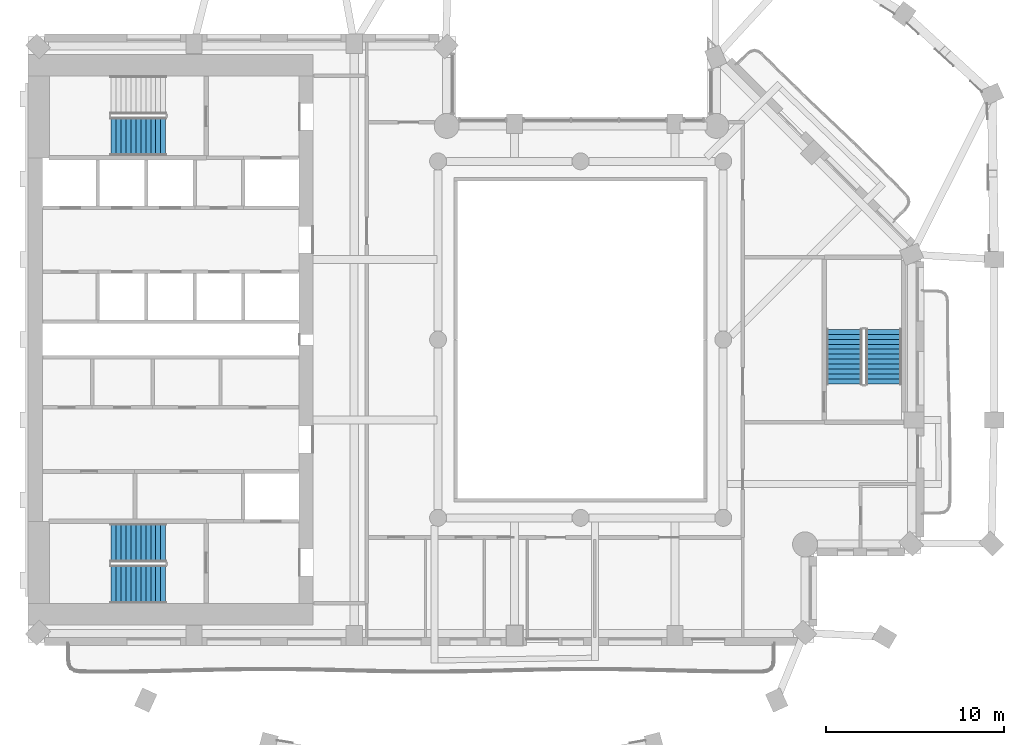
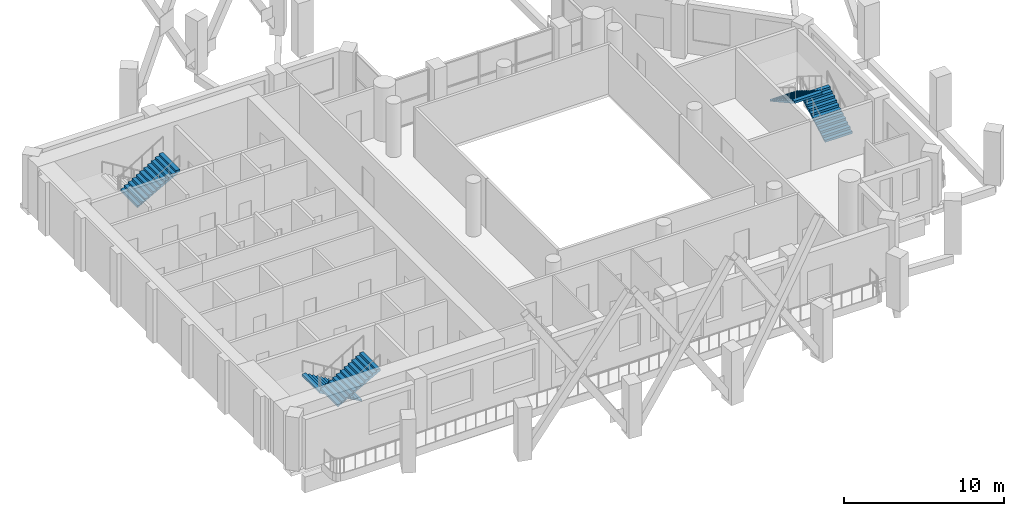
# One storey, part 9 of 15: 5 stair flights, 3 elements without a shape of their own.
"""IFC4 building model written with IfcOpenShell, lengths in metres."""

from ifc_helpers import new_model, si_unit, direction, frame, origin, place, context, subcontext, project, spatial, triangles, material, type_object, element, aggregate, save


model = new_model("IFC4")

# Units and contexts
model_context = context("Model", 3, precision=1e-05, world=origin(), true_north=direction((0.0, 1.0)))
body_context = subcontext(model_context, "Body", "Model", "MODEL_VIEW")
ifc_project = project(units=[si_unit("LENGTHUNIT", "METRE"), si_unit("AREAUNIT", "SQUARE_METRE"), si_unit("VOLUMEUNIT", "CUBIC_METRE"), si_unit("PLANEANGLEUNIT", "RADIAN"), si_unit("MASSUNIT", "GRAM", prefix="KILO")], contexts=[model_context])

# Site, building, storey
site_placement = place(None, origin())
site = spatial("IfcSite", under=ifc_project, at=site_placement, CompositionType="ELEMENT")
building_placement = place(site_placement, origin())
building = spatial("IfcBuilding", under=site, at=building_placement, Name="Cypress Arch Tower", CompositionType="ELEMENT")
storey_placement = place(building_placement, frame((0.0, 0.0, 193.300048828125)))
storey = spatial("IfcBuildingStorey", under=building, at=storey_placement, Name="L42", CompositionType="ELEMENT", Elevation=193.300048828125)

# Stair, stair flights
ifc_material_1 = material(Name="Concrete C40/50", Category="concrete")
stair_type_1 = type_object("IfcStairType", Name="Exit stair ES1708-200", PredefinedType="HALF_TURN_STAIR", material=ifc_material_1)
stair_1_placement = place(storey_placement, origin())
stair_1 = element("IfcStair", 1, at=stair_1_placement, inside=storey, type_object=stair_type_1, Name="L42 Exit stair C", PredefinedType="HALF_TURN_STAIR")
ifc_material_2 = material(Name="Concrete C40/50", Category="concrete")
stair_flight_type_1 = type_object("IfcStairFlightType", Name="Exit stair flight ES1708-200", PredefinedType="STRAIGHT", material=ifc_material_2)
stair_flight_1_placement = place(storey_placement, frame((18.0, -2.5, 0.0), z_axis=(0.0, 0.0, 1.0), x_axis=(0.0, 1.0, 0.0)))
stair_flight_1 = element("IfcStairFlight", 2, at=stair_flight_1_placement, type_object=stair_flight_type_1, Name="C flight 1", NumberOfRisers=12, NumberOfTreads=11, PredefinedType="STRAIGHT", RiserHeight=0.170833333, TreadLength=0.28, context=body_context, shape_type="Tessellation", body=[
    triangles([(0.0, -1.0, 0.0), (0.0, -1.0, 0.1708984375), (0.280029296875, -1.0, 0.1708984375), (0.280029296875, -1.0, 0.341552734375), (0.56005859375, -1.0, 0.341552734375), (0.56005859375, -1.0, 0.512451171875), (0.840087890625, -1.0, 0.512451171875), (0.840087890625, -1.0, 0.683349609375), (1.1201171875, -1.0, 0.683349609375), (1.1201171875, -1.0, 0.854248046875), (1.39990234375, -1.0, 0.854248046875), (1.39990234375, -1.0, 1.02490234375), (1.679931640625, -1.0, 1.02490234375), (1.679931640625, -1.0, 1.19580078125), (1.9599609375, -1.0, 1.19580078125), (1.9599609375, -1.0, 1.36669921875), (2.239990234375, -1.0, 1.36669921875), (2.239990234375, -1.0, 1.53759765625), (2.52001953125, -1.0, 1.53759765625), (2.52001953125, -1.0, 1.708251953125), (2.800048828125, -1.0, 1.708251953125), (2.800048828125, -1.0, 1.879150390625), (3.080078125, -1.0, 1.879150390625), (3.080078125, -1.0, 1.70361328125), (3.080078125, 1.0, 1.70361328125), (3.080078125, 1.0, 1.879150390625), (2.800048828125, 1.0, 1.879150390625), (2.800048828125, 1.0, 1.708251953125), (2.52001953125, 1.0, 1.708251953125), (2.52001953125, 1.0, 1.53759765625), (2.239990234375, 1.0, 1.53759765625), (2.239990234375, 1.0, 1.36669921875), (1.9599609375, 1.0, 1.36669921875), (1.9599609375, 1.0, 1.19580078125), (1.679931640625, 1.0, 1.19580078125), (1.679931640625, 1.0, 1.02490234375), (1.39990234375, 1.0, 1.02490234375), (1.39990234375, 1.0, 0.854248046875), (1.1201171875, 1.0, 0.854248046875), (1.1201171875, 1.0, 0.683349609375), (0.840087890625, 1.0, 0.683349609375), (0.840087890625, 1.0, 0.512451171875), (0.56005859375, 1.0, 0.512451171875), (0.56005859375, 1.0, 0.341552734375), (0.280029296875, 1.0, 0.341552734375), (0.280029296875, 1.0, 0.1708984375), (0.0, 1.0, 0.1708984375), (0.0, 1.0, 0.0), (3.080078125, 0.0, 1.879150390625), (3.080078125, 0.0, 1.70361328125), (2.800048828125, 0.0, 1.879150390625), (2.800048828125, 0.0, 1.708251953125), (2.52001953125, 0.0, 1.708251953125), (2.52001953125, 0.0, 1.53759765625), (2.239990234375, 0.0, 1.53759765625), (2.239990234375, 0.0, 1.36669921875), (1.9599609375, 0.0, 1.36669921875), (1.9599609375, 0.0, 1.19580078125), (1.679931640625, 0.0, 1.19580078125), (1.679931640625, 0.0, 1.02490234375), (1.39990234375, 0.0, 1.02490234375), (1.39990234375, 0.0, 0.854248046875), (1.1201171875, 0.0, 0.854248046875), (1.1201171875, 0.0, 0.683349609375), (0.840087890625, 0.0, 0.683349609375), (0.840087890625, 0.0, 0.512451171875), (0.56005859375, 0.0, 0.512451171875), (0.56005859375, 0.0, 0.341552734375), (0.280029296875, 0.0, 0.341552734375), (0.280029296875, 0.0, 0.1708984375), (0.0, 0.0, 0.1708984375), (0.0, 0.0, 0.0)], [[24, 23, 22], [11, 10, 9], [19, 18, 17], [17, 16, 15], [15, 14, 13], [9, 8, 7], [7, 6, 5], [3, 2, 1], [21, 20, 19], [13, 12, 11], [5, 4, 3], [24, 22, 21], [24, 21, 19], [24, 19, 17], [24, 17, 15], [24, 15, 13], [24, 13, 11], [24, 11, 9], [24, 9, 7], [24, 7, 5], [1, 24, 5], [5, 3, 1], [25, 27, 26], [38, 40, 39], [30, 32, 31], [32, 34, 33], [34, 36, 35], [40, 42, 41], [42, 44, 43], [46, 48, 47], [28, 30, 29], [36, 38, 37], [44, 46, 45], [25, 28, 27], [25, 30, 28], [25, 32, 30], [25, 34, 32], [25, 36, 34], [25, 38, 36], [25, 40, 38], [25, 42, 40], [25, 44, 42], [48, 44, 25], [44, 48, 46], [50, 49, 23], [50, 23, 24], [25, 26, 49], [25, 49, 50], [49, 51, 22], [49, 22, 23], [26, 27, 51], [26, 51, 49], [51, 52, 21], [51, 21, 22], [27, 28, 52], [27, 52, 51], [52, 53, 20], [52, 20, 21], [28, 29, 53], [28, 53, 52], [53, 54, 19], [53, 19, 20], [29, 30, 54], [29, 54, 53], [54, 55, 18], [54, 18, 19], [30, 31, 55], [30, 55, 54], [55, 56, 17], [55, 17, 18], [31, 32, 56], [31, 56, 55], [56, 57, 16], [56, 16, 17], [32, 33, 57], [32, 57, 56], [57, 58, 15], [57, 15, 16], [33, 34, 58], [33, 58, 57], [58, 59, 14], [58, 14, 15], [34, 35, 59], [34, 59, 58], [59, 60, 13], [59, 13, 14], [35, 36, 60], [35, 60, 59], [60, 61, 12], [60, 12, 13], [36, 37, 61], [36, 61, 60], [61, 62, 11], [61, 11, 12], [37, 38, 62], [37, 62, 61], [62, 63, 10], [62, 10, 11], [38, 39, 63], [38, 63, 62], [63, 64, 9], [63, 9, 10], [39, 40, 64], [39, 64, 63], [64, 65, 8], [64, 8, 9], [40, 41, 65], [40, 65, 64], [65, 66, 7], [65, 7, 8], [41, 42, 66], [41, 66, 65], [66, 67, 6], [66, 6, 7], [42, 43, 67], [42, 67, 66], [67, 68, 5], [67, 5, 6], [43, 44, 68], [43, 68, 67], [68, 69, 4], [68, 4, 5], [44, 45, 69], [44, 69, 68], [69, 70, 3], [69, 3, 4], [45, 46, 70], [45, 70, 69], [70, 71, 2], [70, 2, 3], [46, 47, 71], [46, 71, 70], [71, 72, 1], [71, 1, 2], [47, 48, 72], [47, 72, 71], [72, 50, 24], [72, 24, 1], [48, 25, 50], [48, 50, 72]], closed=True),
])
stair_flight_2_placement = place(storey_placement, frame((15.800048828125, 0.580078125, 2.050048828125), z_axis=(0.0, 0.0, 1.0), x_axis=(0.0, -1.0, 0.0)))
stair_flight_2 = element("IfcStairFlight", 3, at=stair_flight_2_placement, type_object=stair_flight_type_1, Name="C flight 2", NumberOfRisers=12, NumberOfTreads=11, PredefinedType="STRAIGHT", RiserHeight=0.170833333, TreadLength=0.28, context=body_context, shape_type="Tessellation", body=[
    triangles([(0.0, -1.0, 0.0), (0.0, -1.0, 0.1708984375), (0.280029296875, -1.0, 0.1708984375), (0.280029296875, -1.0, 0.341552734375), (0.56005859375, -1.0, 0.341552734375), (0.56005859375, -1.0, 0.512451171875), (0.840087890625, -1.0, 0.512451171875), (0.840087890625, -1.0, 0.683349609375), (1.1201171875, -1.0, 0.683349609375), (1.1201171875, -1.0, 0.854248046875), (1.39990234375, -1.0, 0.854248046875), (1.39990234375, -1.0, 1.02490234375), (1.679931640625, -1.0, 1.02490234375), (1.679931640625, -1.0, 1.19580078125), (1.9599609375, -1.0, 1.19580078125), (1.9599609375, -1.0, 1.36669921875), (2.239990234375, -1.0, 1.36669921875), (2.239990234375, -1.0, 1.53759765625), (2.52001953125, -1.0, 1.53759765625), (2.52001953125, -1.0, 1.708251953125), (2.800048828125, -1.0, 1.708251953125), (2.800048828125, -1.0, 1.879150390625), (3.080078125, -1.0, 1.879150390625), (3.080078125, -1.0, 1.70361328125), (3.080078125, 1.0, 1.70361328125), (3.080078125, 1.0, 1.879150390625), (2.800048828125, 1.0, 1.879150390625), (2.800048828125, 1.0, 1.708251953125), (2.52001953125, 1.0, 1.708251953125), (2.52001953125, 1.0, 1.53759765625), (2.239990234375, 1.0, 1.53759765625), (2.239990234375, 1.0, 1.36669921875), (1.9599609375, 1.0, 1.36669921875), (1.9599609375, 1.0, 1.19580078125), (1.679931640625, 1.0, 1.19580078125), (1.679931640625, 1.0, 1.02490234375), (1.39990234375, 1.0, 1.02490234375), (1.39990234375, 1.0, 0.854248046875), (1.1201171875, 1.0, 0.854248046875), (1.1201171875, 1.0, 0.683349609375), (0.840087890625, 1.0, 0.683349609375), (0.840087890625, 1.0, 0.512451171875), (0.56005859375, 1.0, 0.512451171875), (0.56005859375, 1.0, 0.341552734375), (0.280029296875, 1.0, 0.341552734375), (0.280029296875, 1.0, 0.1708984375), (0.0, 1.0, 0.1708984375), (0.0, 1.0, 0.0), (3.080078125, 0.0, 1.879150390625), (3.080078125, 0.0, 1.70361328125), (2.800048828125, 0.0, 1.879150390625), (2.800048828125, 0.0, 1.708251953125), (2.52001953125, 0.0, 1.708251953125), (2.52001953125, 0.0, 1.53759765625), (2.239990234375, 0.0, 1.53759765625), (2.239990234375, 0.0, 1.36669921875), (1.9599609375, 0.0, 1.36669921875), (1.9599609375, 0.0, 1.19580078125), (1.679931640625, 0.0, 1.19580078125), (1.679931640625, 0.0, 1.02490234375), (1.39990234375, 0.0, 1.02490234375), (1.39990234375, 0.0, 0.854248046875), (1.1201171875, 0.0, 0.854248046875), (1.1201171875, 0.0, 0.683349609375), (0.840087890625, 0.0, 0.683349609375), (0.840087890625, 0.0, 0.512451171875), (0.56005859375, 0.0, 0.512451171875), (0.56005859375, 0.0, 0.341552734375), (0.280029296875, 0.0, 0.341552734375), (0.280029296875, 0.0, 0.1708984375), (0.0, 0.0, 0.1708984375), (0.0, 0.0, 0.0)], [[24, 23, 22], [11, 10, 9], [19, 18, 17], [17, 16, 15], [15, 14, 13], [9, 8, 7], [7, 6, 5], [3, 2, 1], [21, 20, 19], [13, 12, 11], [5, 4, 3], [24, 22, 21], [24, 21, 19], [24, 19, 17], [24, 17, 15], [24, 15, 13], [24, 13, 11], [24, 11, 9], [24, 9, 7], [24, 7, 5], [1, 24, 5], [5, 3, 1], [25, 27, 26], [38, 40, 39], [30, 32, 31], [32, 34, 33], [34, 36, 35], [40, 42, 41], [42, 44, 43], [46, 48, 47], [28, 30, 29], [36, 38, 37], [44, 46, 45], [25, 28, 27], [25, 30, 28], [25, 32, 30], [25, 34, 32], [25, 36, 34], [25, 38, 36], [25, 40, 38], [25, 42, 40], [25, 44, 42], [48, 44, 25], [44, 48, 46], [50, 49, 23], [50, 23, 24], [25, 26, 49], [25, 49, 50], [49, 51, 22], [49, 22, 23], [26, 27, 51], [26, 51, 49], [51, 52, 21], [51, 21, 22], [27, 28, 52], [27, 52, 51], [52, 53, 20], [52, 20, 21], [28, 29, 53], [28, 53, 52], [53, 54, 19], [53, 19, 20], [29, 30, 54], [29, 54, 53], [54, 55, 18], [54, 18, 19], [30, 31, 55], [30, 55, 54], [55, 56, 17], [55, 17, 18], [31, 32, 56], [31, 56, 55], [56, 57, 16], [56, 16, 17], [32, 33, 57], [32, 57, 56], [57, 58, 15], [57, 15, 16], [33, 34, 58], [33, 58, 57], [58, 59, 14], [58, 14, 15], [34, 35, 59], [34, 59, 58], [59, 60, 13], [59, 13, 14], [35, 36, 60], [35, 60, 59], [60, 61, 12], [60, 12, 13], [36, 37, 61], [36, 61, 60], [61, 62, 11], [61, 11, 12], [37, 38, 62], [37, 62, 61], [62, 63, 10], [62, 10, 11], [38, 39, 63], [38, 63, 62], [63, 64, 9], [63, 9, 10], [39, 40, 64], [39, 64, 63], [64, 65, 8], [64, 8, 9], [40, 41, 65], [40, 65, 64], [65, 66, 7], [65, 7, 8], [41, 42, 66], [41, 66, 65], [66, 67, 6], [66, 6, 7], [42, 43, 67], [42, 67, 66], [67, 68, 5], [67, 5, 6], [43, 44, 68], [43, 68, 67], [68, 69, 4], [68, 4, 5], [44, 45, 69], [44, 69, 68], [69, 70, 3], [69, 3, 4], [45, 46, 70], [45, 70, 69], [70, 71, 2], [70, 2, 3], [46, 47, 71], [46, 71, 70], [71, 72, 1], [71, 1, 2], [47, 48, 72], [47, 72, 71], [72, 50, 24], [72, 24, 1], [48, 25, 50], [48, 50, 72]], closed=True),
])
aggregate(stair_1, [stair_flight_1, stair_flight_2])

ifc_material_3 = material(Name="Concrete C40/50", Category="concrete")
stair_type_2 = type_object("IfcStairType", Name="Exit stair ES1708-215", PredefinedType="HALF_TURN_STAIR", material=ifc_material_3)
stair_2_placement = place(storey_placement, origin())
stair_2 = element("IfcStair", 4, at=stair_2_placement, inside=storey, type_object=stair_type_2, Name="L42 Exit stair A", PredefinedType="HALF_TURN_STAIR")
ifc_material_4 = material(Name="Concrete C40/50", Category="concrete")
stair_flight_type_2 = type_object("IfcStairFlightType", Name="Exit stair flight ES1708-215", PredefinedType="STRAIGHT", material=ifc_material_4)
stair_flight_3_placement = place(storey_placement, frame((-22.27490234375, -11.39990234375, 0.0), z_axis=(0.0, 0.0, 1.0), x_axis=(-1.0, 0.0, 0.0)))
stair_flight_3 = element("IfcStairFlight", 5, at=stair_flight_3_placement, type_object=stair_flight_type_2, Name="A flight 1", NumberOfRisers=12, NumberOfTreads=11, PredefinedType="STRAIGHT", RiserHeight=0.170833333, TreadLength=0.28, context=body_context, shape_type="Tessellation", body=[
    triangles([(0.0, -1.074951171875, 0.0), (0.000244140625, -1.074951171875, 0.01904296875), (0.000244140625, -1.074951171875, 0.0380859375), (0.00048828125, -1.074951171875, 0.056884765625), (0.00048828125, -1.074951171875, 0.075927734375), (0.00048828125, -1.074951171875, 0.094970703125), (0.00048828125, -1.074951171875, 0.114013671875), (0.000244140625, -1.074951171875, 0.1328125), (0.000244140625, -1.074951171875, 0.15185546875), (0.0, -1.074951171875, 0.1708984375), (0.280029296875, -1.074951171875, 0.1708984375), (0.280029296875, -1.074951171875, 0.341552734375), (0.56005859375, -1.074951171875, 0.341552734375), (0.56005859375, -1.074951171875, 0.512451171875), (0.840087890625, -1.074951171875, 0.512451171875), (0.840087890625, -1.074951171875, 0.683349609375), (1.1201171875, -1.074951171875, 0.683349609375), (1.1201171875, -1.074951171875, 0.854248046875), (1.39990234375, -1.074951171875, 0.854248046875), (1.39990234375, -1.074951171875, 1.02490234375), (1.679931640625, -1.074951171875, 1.02490234375), (1.679931640625, -1.074951171875, 1.19580078125), (1.9599609375, -1.074951171875, 1.19580078125), (1.9599609375, -1.074951171875, 1.36669921875), (2.239990234375, -1.074951171875, 1.36669921875), (2.239990234375, -1.074951171875, 1.53759765625), (2.52001953125, -1.074951171875, 1.53759765625), (2.52001953125, -1.074951171875, 1.708251953125), (2.800048828125, -1.074951171875, 1.708251953125), (2.800048828125, -1.074951171875, 1.879150390625), (3.080078125, -1.074951171875, 1.879150390625), (3.079833984375, -1.074951171875, 1.859619140625), (3.079833984375, -1.074951171875, 1.840087890625), (3.07958984375, -1.074951171875, 1.820556640625), (3.07958984375, -1.074951171875, 1.801025390625), (3.07958984375, -1.074951171875, 1.78173828125), (3.07958984375, -1.074951171875, 1.76220703125), (3.079833984375, -1.074951171875, 1.74267578125), (3.079833984375, -1.074951171875, 1.72314453125), (3.080078125, -1.074951171875, 1.70361328125), (3.080078125, 1.074951171875, 1.70361328125), (3.079833984375, 1.074951171875, 1.72314453125), (3.079833984375, 1.074951171875, 1.74267578125), (3.07958984375, 1.074951171875, 1.76220703125), (3.07958984375, 1.074951171875, 1.78173828125), (3.07958984375, 1.074951171875, 1.801025390625), (3.07958984375, 1.074951171875, 1.820556640625), (3.079833984375, 1.074951171875, 1.840087890625), (3.079833984375, 1.074951171875, 1.859619140625), (3.080078125, 1.074951171875, 1.879150390625), (2.800048828125, 1.074951171875, 1.879150390625), (2.800048828125, 1.074951171875, 1.708251953125), (2.52001953125, 1.074951171875, 1.708251953125), (2.52001953125, 1.074951171875, 1.53759765625), (2.239990234375, 1.074951171875, 1.53759765625), (2.239990234375, 1.074951171875, 1.36669921875), (1.9599609375, 1.074951171875, 1.36669921875), (1.9599609375, 1.074951171875, 1.19580078125), (1.679931640625, 1.074951171875, 1.19580078125), (1.679931640625, 1.074951171875, 1.02490234375), (1.39990234375, 1.074951171875, 1.02490234375), (1.39990234375, 1.074951171875, 0.854248046875), (1.1201171875, 1.074951171875, 0.854248046875), (1.1201171875, 1.074951171875, 0.683349609375), (0.840087890625, 1.074951171875, 0.683349609375), (0.840087890625, 1.074951171875, 0.512451171875), (0.56005859375, 1.074951171875, 0.512451171875), (0.56005859375, 1.074951171875, 0.341552734375), (0.280029296875, 1.074951171875, 0.341552734375), (0.280029296875, 1.074951171875, 0.1708984375), (0.0, 1.074951171875, 0.1708984375), (0.000244140625, 1.074951171875, 0.15185546875), (0.000244140625, 1.074951171875, 0.1328125), (0.00048828125, 1.074951171875, 0.114013671875), (0.00048828125, 1.074951171875, 0.094970703125), (0.00048828125, 1.074951171875, 0.075927734375), (0.00048828125, 1.074951171875, 0.056884765625), (0.000244140625, 1.074951171875, 0.0380859375), (0.000244140625, 1.074951171875, 0.01904296875), (0.0, 1.074951171875, 0.0)], [[40, 39, 30], [39, 38, 30], [38, 37, 30], [37, 36, 30], [36, 35, 30], [35, 34, 30], [34, 33, 30], [33, 32, 30], [32, 31, 30], [19, 18, 17], [27, 26, 25], [25, 24, 23], [23, 22, 21], [17, 16, 15], [15, 14, 13], [10, 9, 11], [9, 8, 11], [8, 7, 11], [7, 6, 11], [6, 5, 11], [5, 4, 11], [4, 3, 11], [3, 2, 11], [2, 1, 11], [29, 28, 27], [21, 20, 19], [13, 12, 11], [40, 30, 29], [40, 29, 27], [40, 27, 25], [40, 25, 23], [40, 23, 21], [40, 21, 19], [40, 19, 17], [40, 17, 15], [40, 15, 13], [1, 40, 13], [13, 11, 1], [41, 51, 42], [42, 51, 43], [43, 51, 44], [44, 51, 45], [45, 51, 46], [46, 51, 47], [47, 51, 48], [48, 51, 49], [49, 51, 50], [62, 64, 63], [54, 56, 55], [56, 58, 57], [58, 60, 59], [64, 66, 65], [66, 68, 67], [71, 70, 72], [72, 70, 73], [73, 70, 74], [74, 70, 75], [75, 70, 76], [76, 70, 77], [77, 70, 78], [78, 70, 79], [79, 70, 80], [52, 54, 53], [60, 62, 61], [68, 70, 69], [41, 52, 51], [41, 54, 52], [41, 56, 54], [41, 58, 56], [41, 60, 58], [41, 62, 60], [41, 64, 62], [41, 66, 64], [41, 68, 66], [80, 68, 41], [68, 80, 70], [41, 42, 39], [41, 39, 40], [42, 43, 38], [42, 38, 39], [43, 44, 37], [43, 37, 38], [44, 45, 36], [44, 36, 37], [45, 46, 35], [45, 35, 36], [46, 47, 34], [46, 34, 35], [47, 48, 33], [47, 33, 34], [48, 49, 32], [48, 32, 33], [49, 50, 31], [49, 31, 32], [50, 51, 30], [50, 30, 31], [51, 52, 29], [51, 29, 30], [52, 53, 28], [52, 28, 29], [53, 54, 27], [53, 27, 28], [54, 55, 26], [54, 26, 27], [55, 56, 25], [55, 25, 26], [56, 57, 24], [56, 24, 25], [57, 58, 23], [57, 23, 24], [58, 59, 22], [58, 22, 23], [59, 60, 21], [59, 21, 22], [60, 61, 20], [60, 20, 21], [61, 62, 19], [61, 19, 20], [62, 63, 18], [62, 18, 19], [63, 64, 17], [63, 17, 18], [64, 65, 16], [64, 16, 17], [65, 66, 15], [65, 15, 16], [66, 67, 14], [66, 14, 15], [67, 68, 13], [67, 13, 14], [68, 69, 12], [68, 12, 13], [69, 70, 11], [69, 11, 12], [70, 71, 10], [70, 10, 11], [71, 72, 9], [71, 9, 10], [72, 73, 8], [72, 8, 9], [73, 74, 7], [73, 7, 8], [74, 75, 6], [74, 6, 7], [75, 76, 5], [75, 5, 6], [76, 77, 4], [76, 4, 5], [77, 78, 3], [77, 3, 4], [78, 79, 2], [78, 2, 3], [79, 80, 1], [79, 1, 2], [80, 41, 40], [80, 40, 1]], closed=True),
])
stair_flight_4_placement = place(storey_placement, frame((-25.35498046875, -13.72509765625, 2.050048828125), z_axis=(0.0, 0.0, 1.0), x_axis=(1.0, 0.0, 0.0)))
stair_flight_4 = element("IfcStairFlight", 6, at=stair_flight_4_placement, type_object=stair_flight_type_2, Name="A flight 2", NumberOfRisers=12, NumberOfTreads=11, PredefinedType="STRAIGHT", RiserHeight=0.170833333, TreadLength=0.28, context=body_context, shape_type="Tessellation", body=[
    triangles([(0.0, -1.074951171875, 0.0), (0.000244140625, -1.074951171875, 0.01904296875), (0.000244140625, -1.074951171875, 0.0380859375), (0.00048828125, -1.074951171875, 0.056884765625), (0.00048828125, -1.074951171875, 0.075927734375), (0.00048828125, -1.074951171875, 0.094970703125), (0.00048828125, -1.074951171875, 0.114013671875), (0.000244140625, -1.074951171875, 0.1328125), (0.000244140625, -1.074951171875, 0.15185546875), (0.0, -1.074951171875, 0.1708984375), (0.280029296875, -1.074951171875, 0.1708984375), (0.280029296875, -1.074951171875, 0.341552734375), (0.56005859375, -1.074951171875, 0.341552734375), (0.56005859375, -1.074951171875, 0.512451171875), (0.840087890625, -1.074951171875, 0.512451171875), (0.840087890625, -1.074951171875, 0.683349609375), (1.1201171875, -1.074951171875, 0.683349609375), (1.1201171875, -1.074951171875, 0.854248046875), (1.39990234375, -1.074951171875, 0.854248046875), (1.39990234375, -1.074951171875, 1.02490234375), (1.679931640625, -1.074951171875, 1.02490234375), (1.679931640625, -1.074951171875, 1.19580078125), (1.9599609375, -1.074951171875, 1.19580078125), (1.9599609375, -1.074951171875, 1.36669921875), (2.239990234375, -1.074951171875, 1.36669921875), (2.239990234375, -1.074951171875, 1.53759765625), (2.52001953125, -1.074951171875, 1.53759765625), (2.52001953125, -1.074951171875, 1.708251953125), (2.800048828125, -1.074951171875, 1.708251953125), (2.800048828125, -1.074951171875, 1.879150390625), (3.080078125, -1.074951171875, 1.879150390625), (3.079833984375, -1.074951171875, 1.859619140625), (3.079833984375, -1.074951171875, 1.840087890625), (3.07958984375, -1.074951171875, 1.820556640625), (3.07958984375, -1.074951171875, 1.801025390625), (3.07958984375, -1.074951171875, 1.78173828125), (3.07958984375, -1.074951171875, 1.76220703125), (3.079833984375, -1.074951171875, 1.74267578125), (3.079833984375, -1.074951171875, 1.72314453125), (3.080078125, -1.074951171875, 1.70361328125), (3.080078125, 1.074951171875, 1.70361328125), (3.079833984375, 1.074951171875, 1.72314453125), (3.079833984375, 1.074951171875, 1.74267578125), (3.07958984375, 1.074951171875, 1.76220703125), (3.07958984375, 1.074951171875, 1.78173828125), (3.07958984375, 1.074951171875, 1.801025390625), (3.07958984375, 1.074951171875, 1.820556640625), (3.079833984375, 1.074951171875, 1.840087890625), (3.079833984375, 1.074951171875, 1.859619140625), (3.080078125, 1.074951171875, 1.879150390625), (2.800048828125, 1.074951171875, 1.879150390625), (2.800048828125, 1.074951171875, 1.708251953125), (2.52001953125, 1.074951171875, 1.708251953125), (2.52001953125, 1.074951171875, 1.53759765625), (2.239990234375, 1.074951171875, 1.53759765625), (2.239990234375, 1.074951171875, 1.36669921875), (1.9599609375, 1.074951171875, 1.36669921875), (1.9599609375, 1.074951171875, 1.19580078125), (1.679931640625, 1.074951171875, 1.19580078125), (1.679931640625, 1.074951171875, 1.02490234375), (1.39990234375, 1.074951171875, 1.02490234375), (1.39990234375, 1.074951171875, 0.854248046875), (1.1201171875, 1.074951171875, 0.854248046875), (1.1201171875, 1.074951171875, 0.683349609375), (0.840087890625, 1.074951171875, 0.683349609375), (0.840087890625, 1.074951171875, 0.512451171875), (0.56005859375, 1.074951171875, 0.512451171875), (0.56005859375, 1.074951171875, 0.341552734375), (0.280029296875, 1.074951171875, 0.341552734375), (0.280029296875, 1.074951171875, 0.1708984375), (0.0, 1.074951171875, 0.1708984375), (0.000244140625, 1.074951171875, 0.15185546875), (0.000244140625, 1.074951171875, 0.1328125), (0.00048828125, 1.074951171875, 0.114013671875), (0.00048828125, 1.074951171875, 0.094970703125), (0.00048828125, 1.074951171875, 0.075927734375), (0.00048828125, 1.074951171875, 0.056884765625), (0.000244140625, 1.074951171875, 0.0380859375), (0.000244140625, 1.074951171875, 0.01904296875), (0.0, 1.074951171875, 0.0)], [[40, 39, 30], [39, 38, 30], [38, 37, 30], [37, 36, 30], [36, 35, 30], [35, 34, 30], [34, 33, 30], [33, 32, 30], [32, 31, 30], [19, 18, 17], [27, 26, 25], [25, 24, 23], [23, 22, 21], [17, 16, 15], [15, 14, 13], [10, 9, 11], [9, 8, 11], [8, 7, 11], [7, 6, 11], [6, 5, 11], [5, 4, 11], [4, 3, 11], [3, 2, 11], [2, 1, 11], [29, 28, 27], [21, 20, 19], [13, 12, 11], [40, 30, 29], [40, 29, 27], [40, 27, 25], [40, 25, 23], [40, 23, 21], [40, 21, 19], [40, 19, 17], [40, 17, 15], [40, 15, 13], [1, 40, 13], [13, 11, 1], [41, 51, 42], [42, 51, 43], [43, 51, 44], [44, 51, 45], [45, 51, 46], [46, 51, 47], [47, 51, 48], [48, 51, 49], [49, 51, 50], [62, 64, 63], [54, 56, 55], [56, 58, 57], [58, 60, 59], [64, 66, 65], [66, 68, 67], [71, 70, 72], [72, 70, 73], [73, 70, 74], [74, 70, 75], [75, 70, 76], [76, 70, 77], [77, 70, 78], [78, 70, 79], [79, 70, 80], [52, 54, 53], [60, 62, 61], [68, 70, 69], [41, 52, 51], [41, 54, 52], [41, 56, 54], [41, 58, 56], [41, 60, 58], [41, 62, 60], [41, 64, 62], [41, 66, 64], [41, 68, 66], [80, 68, 41], [68, 80, 70], [41, 42, 39], [41, 39, 40], [42, 43, 38], [42, 38, 39], [43, 44, 37], [43, 37, 38], [44, 45, 36], [44, 36, 37], [45, 46, 35], [45, 35, 36], [46, 47, 34], [46, 34, 35], [47, 48, 33], [47, 33, 34], [48, 49, 32], [48, 32, 33], [49, 50, 31], [49, 31, 32], [50, 51, 30], [50, 30, 31], [51, 52, 29], [51, 29, 30], [52, 53, 28], [52, 28, 29], [53, 54, 27], [53, 27, 28], [54, 55, 26], [54, 26, 27], [55, 56, 25], [55, 25, 26], [56, 57, 24], [56, 24, 25], [57, 58, 23], [57, 23, 24], [58, 59, 22], [58, 22, 23], [59, 60, 21], [59, 21, 22], [60, 61, 20], [60, 20, 21], [61, 62, 19], [61, 19, 20], [62, 63, 18], [62, 18, 19], [63, 64, 17], [63, 17, 18], [64, 65, 16], [64, 16, 17], [65, 66, 15], [65, 15, 16], [66, 67, 14], [66, 14, 15], [67, 68, 13], [67, 13, 14], [68, 69, 12], [68, 12, 13], [69, 70, 11], [69, 11, 12], [70, 71, 10], [70, 10, 11], [71, 72, 9], [71, 9, 10], [72, 73, 8], [72, 8, 9], [73, 74, 7], [73, 7, 8], [74, 75, 6], [74, 6, 7], [75, 76, 5], [75, 5, 6], [76, 77, 4], [76, 4, 5], [77, 78, 3], [77, 3, 4], [78, 79, 2], [78, 2, 3], [79, 80, 1], [79, 1, 2], [80, 41, 40], [80, 40, 1]], closed=True),
])
aggregate(stair_2, [stair_flight_3, stair_flight_4])

# Stair, stair flight
stair_3_placement = place(storey_placement, origin())
stair_3 = element("IfcStair", 7, at=stair_3_placement, inside=storey, type_object=stair_type_2, Name="L42 Exit stair B", PredefinedType="HALF_TURN_STAIR")
stair_flight_5_placement = place(storey_placement, frame((-25.35498046875, 11.39990234375, 2.050048828125), z_axis=(0.0, 0.0, 1.0), x_axis=(1.0, 0.0, 0.0)))
stair_flight_5 = element("IfcStairFlight", 8, at=stair_flight_5_placement, type_object=stair_flight_type_2, Name="B flight 2", NumberOfRisers=12, NumberOfTreads=11, PredefinedType="STRAIGHT", RiserHeight=0.170833333, TreadLength=0.28, context=body_context, shape_type="Tessellation", body=[
    triangles([(0.0, -1.074951171875, 0.0), (0.000244140625, -1.074951171875, 0.01904296875), (0.000244140625, -1.074951171875, 0.0380859375), (0.00048828125, -1.074951171875, 0.056884765625), (0.00048828125, -1.074951171875, 0.075927734375), (0.00048828125, -1.074951171875, 0.094970703125), (0.00048828125, -1.074951171875, 0.114013671875), (0.000244140625, -1.074951171875, 0.1328125), (0.000244140625, -1.074951171875, 0.15185546875), (0.0, -1.074951171875, 0.1708984375), (0.280029296875, -1.074951171875, 0.1708984375), (0.280029296875, -1.074951171875, 0.341552734375), (0.56005859375, -1.074951171875, 0.341552734375), (0.56005859375, -1.074951171875, 0.512451171875), (0.840087890625, -1.074951171875, 0.512451171875), (0.840087890625, -1.074951171875, 0.683349609375), (1.1201171875, -1.074951171875, 0.683349609375), (1.1201171875, -1.074951171875, 0.854248046875), (1.39990234375, -1.074951171875, 0.854248046875), (1.39990234375, -1.074951171875, 1.02490234375), (1.679931640625, -1.074951171875, 1.02490234375), (1.679931640625, -1.074951171875, 1.19580078125), (1.9599609375, -1.074951171875, 1.19580078125), (1.9599609375, -1.074951171875, 1.36669921875), (2.239990234375, -1.074951171875, 1.36669921875), (2.239990234375, -1.074951171875, 1.53759765625), (2.52001953125, -1.074951171875, 1.53759765625), (2.52001953125, -1.074951171875, 1.708251953125), (2.800048828125, -1.074951171875, 1.708251953125), (2.800048828125, -1.074951171875, 1.879150390625), (3.080078125, -1.074951171875, 1.879150390625), (3.079833984375, -1.074951171875, 1.859619140625), (3.079833984375, -1.074951171875, 1.840087890625), (3.07958984375, -1.074951171875, 1.820556640625), (3.07958984375, -1.074951171875, 1.801025390625), (3.07958984375, -1.074951171875, 1.78173828125), (3.07958984375, -1.074951171875, 1.76220703125), (3.079833984375, -1.074951171875, 1.74267578125), (3.079833984375, -1.074951171875, 1.72314453125), (3.080078125, -1.074951171875, 1.70361328125), (3.080078125, 1.074951171875, 1.70361328125), (3.079833984375, 1.074951171875, 1.72314453125), (3.079833984375, 1.074951171875, 1.74267578125), (3.07958984375, 1.074951171875, 1.76220703125), (3.07958984375, 1.074951171875, 1.78173828125), (3.07958984375, 1.074951171875, 1.801025390625), (3.07958984375, 1.074951171875, 1.820556640625), (3.079833984375, 1.074951171875, 1.840087890625), (3.079833984375, 1.074951171875, 1.859619140625), (3.080078125, 1.074951171875, 1.879150390625), (2.800048828125, 1.074951171875, 1.879150390625), (2.800048828125, 1.074951171875, 1.708251953125), (2.52001953125, 1.074951171875, 1.708251953125), (2.52001953125, 1.074951171875, 1.53759765625), (2.239990234375, 1.074951171875, 1.53759765625), (2.239990234375, 1.074951171875, 1.36669921875), (1.9599609375, 1.074951171875, 1.36669921875), (1.9599609375, 1.074951171875, 1.19580078125), (1.679931640625, 1.074951171875, 1.19580078125), (1.679931640625, 1.074951171875, 1.02490234375), (1.39990234375, 1.074951171875, 1.02490234375), (1.39990234375, 1.074951171875, 0.854248046875), (1.1201171875, 1.074951171875, 0.854248046875), (1.1201171875, 1.074951171875, 0.683349609375), (0.840087890625, 1.074951171875, 0.683349609375), (0.840087890625, 1.074951171875, 0.512451171875), (0.56005859375, 1.074951171875, 0.512451171875), (0.56005859375, 1.074951171875, 0.341552734375), (0.280029296875, 1.074951171875, 0.341552734375), (0.280029296875, 1.074951171875, 0.1708984375), (0.0, 1.074951171875, 0.1708984375), (0.000244140625, 1.074951171875, 0.15185546875), (0.000244140625, 1.074951171875, 0.1328125), (0.00048828125, 1.074951171875, 0.114013671875), (0.00048828125, 1.074951171875, 0.094970703125), (0.00048828125, 1.074951171875, 0.075927734375), (0.00048828125, 1.074951171875, 0.056884765625), (0.000244140625, 1.074951171875, 0.0380859375), (0.000244140625, 1.074951171875, 0.01904296875), (0.0, 1.074951171875, 0.0)], [[40, 39, 30], [39, 38, 30], [38, 37, 30], [37, 36, 30], [36, 35, 30], [35, 34, 30], [34, 33, 30], [33, 32, 30], [32, 31, 30], [19, 18, 17], [27, 26, 25], [25, 24, 23], [23, 22, 21], [17, 16, 15], [15, 14, 13], [10, 9, 11], [9, 8, 11], [8, 7, 11], [7, 6, 11], [6, 5, 11], [5, 4, 11], [4, 3, 11], [3, 2, 11], [2, 1, 11], [29, 28, 27], [21, 20, 19], [13, 12, 11], [40, 30, 29], [40, 29, 27], [40, 27, 25], [40, 25, 23], [40, 23, 21], [40, 21, 19], [40, 19, 17], [40, 17, 15], [40, 15, 13], [1, 40, 13], [13, 11, 1], [41, 51, 42], [42, 51, 43], [43, 51, 44], [44, 51, 45], [45, 51, 46], [46, 51, 47], [47, 51, 48], [48, 51, 49], [49, 51, 50], [62, 64, 63], [54, 56, 55], [56, 58, 57], [58, 60, 59], [64, 66, 65], [66, 68, 67], [71, 70, 72], [72, 70, 73], [73, 70, 74], [74, 70, 75], [75, 70, 76], [76, 70, 77], [77, 70, 78], [78, 70, 79], [79, 70, 80], [52, 54, 53], [60, 62, 61], [68, 70, 69], [41, 52, 51], [41, 54, 52], [41, 56, 54], [41, 58, 56], [41, 60, 58], [41, 62, 60], [41, 64, 62], [41, 66, 64], [41, 68, 66], [80, 68, 41], [68, 80, 70], [41, 42, 39], [41, 39, 40], [42, 43, 38], [42, 38, 39], [43, 44, 37], [43, 37, 38], [44, 45, 36], [44, 36, 37], [45, 46, 35], [45, 35, 36], [46, 47, 34], [46, 34, 35], [47, 48, 33], [47, 33, 34], [48, 49, 32], [48, 32, 33], [49, 50, 31], [49, 31, 32], [50, 51, 30], [50, 30, 31], [51, 52, 29], [51, 29, 30], [52, 53, 28], [52, 28, 29], [53, 54, 27], [53, 27, 28], [54, 55, 26], [54, 26, 27], [55, 56, 25], [55, 25, 26], [56, 57, 24], [56, 24, 25], [57, 58, 23], [57, 23, 24], [58, 59, 22], [58, 22, 23], [59, 60, 21], [59, 21, 22], [60, 61, 20], [60, 20, 21], [61, 62, 19], [61, 19, 20], [62, 63, 18], [62, 18, 19], [63, 64, 17], [63, 17, 18], [64, 65, 16], [64, 16, 17], [65, 66, 15], [65, 15, 16], [66, 67, 14], [66, 14, 15], [67, 68, 13], [67, 13, 14], [68, 69, 12], [68, 12, 13], [69, 70, 11], [69, 11, 12], [70, 71, 10], [70, 10, 11], [71, 72, 9], [71, 9, 10], [72, 73, 8], [72, 8, 9], [73, 74, 7], [73, 7, 8], [74, 75, 6], [74, 6, 7], [75, 76, 5], [75, 5, 6], [76, 77, 4], [76, 4, 5], [77, 78, 3], [77, 3, 4], [78, 79, 2], [78, 2, 3], [79, 80, 1], [79, 1, 2], [80, 41, 40], [80, 40, 1]], closed=True),
])
aggregate(stair_3, [stair_flight_5])

save(model, "model.ifc")
